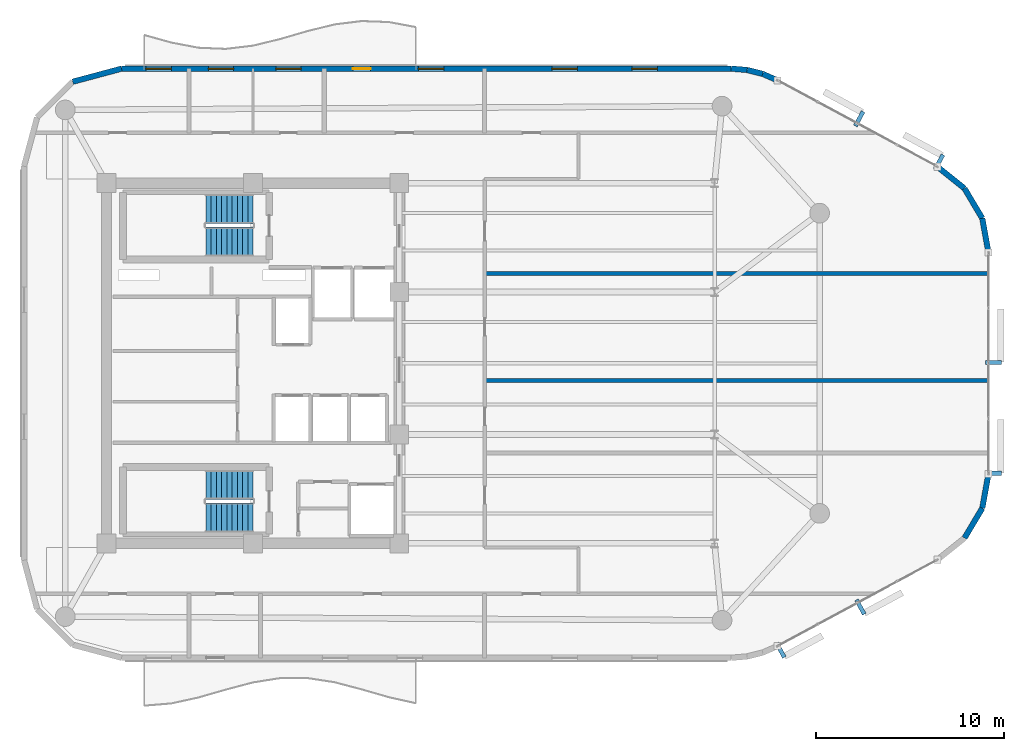
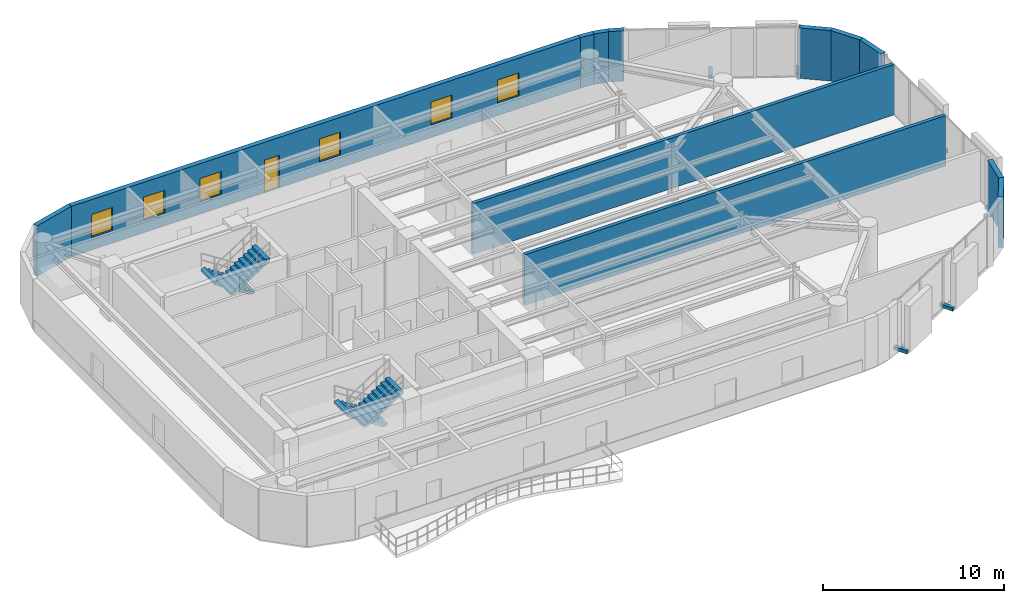
# One storey, part 11 of 13: 12 walls, 6 discrete accessories, 6 windows, 4 stair flights, 1 door, 7 openings, 2 elements without a shape of their own.
"""IFC4 building model written with IfcOpenShell, lengths in metres."""

from ifc_helpers import new_model, si_unit, direction, frame, frame_2d, origin, origin_2d, place, context, subcontext, project, spatial, polyline, rectangle, outline, extrude, material, layer, layer_set, type_object, element, fill, aggregate, save


model = new_model("IFC4")

# Units and contexts
model_context = context("Model", 3, precision=1e-05, world=origin(), true_north=direction((0.0, 1.0)))
body_context = subcontext(model_context, "Body", "Model", "MODEL_VIEW")
ifc_project = project(units=[si_unit("LENGTHUNIT", "METRE"), si_unit("AREAUNIT", "SQUARE_METRE"), si_unit("VOLUMEUNIT", "CUBIC_METRE"), si_unit("PLANEANGLEUNIT", "RADIAN"), si_unit("MASSUNIT", "GRAM", prefix="KILO")], contexts=[model_context])

# Site, building, storey
site_placement = place(None, origin())
site = spatial("IfcSite", under=ifc_project, at=site_placement, CompositionType="ELEMENT")
building_placement = place(site_placement, origin())
building = spatial("IfcBuilding", under=site, at=building_placement, Name="An Khanh Terracotta Commons", CompositionType="ELEMENT")
storey_placement = place(building_placement, frame((0.0, 0.0, 215.699951171875)))
storey = spatial("IfcBuildingStorey", under=building, at=storey_placement, Name="L56", CompositionType="ELEMENT", Elevation=215.699951171875)

# Walls
ifc_material_1 = material(Name="Precast concrete C40/50", Category="concrete")
ifc_layer_1 = layer(ifc_material_1, 0.300048828125, Name="Precast concrete C40/50")
ifc_layer_set_1 = layer_set([ifc_layer_1], Name="Precast concrete C40/50")
wall_type_1 = type_object("IfcWallType", Name="WALL-EXT-300", PredefinedType="SOLIDWALL", material=ifc_layer_set_1)
wall_1_placement = place(storey_placement, frame((67.320068359375, 14.68408203125, 0.0), z_axis=(0.0, 0.0, 1.0), x_axis=(0.512072018927, 0.858942516955, 0.0)))
element("IfcWall", 1, at=wall_1_placement, inside=storey, type_object=wall_type_1, Name="L56 Insulated Terracotta Exterior Wall 10", PredefinedType="SOLIDWALL", context=body_context, shape_type="SweptSolid", body=[
    extrude(rectangle(XDim=1.853271484375, YDim=0.300048828125, at=frame_2d((0.9267578125, 0.0))), origin(), (0.0, 0.0, 1.0), 3.400146484375),
])
for number, where, z_axis, x_axis, name in (
    (2, (68.26904296875, 16.27587890625, 0.0), (0.0, 0.0, 1.0), (0.178468469252, 0.983945631365, 0.0), "L56 Insulated Terracotta Exterior Wall 11"),
    (3, (68.60009765625, 29.89892578125, 0.0), (0.0, 0.0, 1.0), (-0.178468469252, 0.983945631365, 0.0), "L56 Insulated Terracotta Exterior Wall 13"),
):
    element("IfcWall", number, at=place(storey_placement, frame(where, z_axis=z_axis, x_axis=x_axis)), inside=storey, type_object=wall_type_1, Name=name, PredefinedType="SOLIDWALL", context=body_context, shape_type="SweptSolid", body=[
        extrude(rectangle(XDim=1.85498046875, YDim=0.300048828125, at=frame_2d((0.927490234375, 0.0))), origin(), (0.0, 0.0, 1.0), 3.400146484375),
    ])
wall_2_placement = place(storey_placement, frame((68.26904296875, 31.72412109375, 0.0), z_axis=(0.0, 0.0, 1.0), x_axis=(-0.512072018927, 0.858942516955, 0.0)))
element("IfcWall", 4, at=wall_2_placement, inside=storey, type_object=wall_type_1, Name="L56 Insulated Terracotta Exterior Wall 14", PredefinedType="SOLIDWALL", context=body_context, shape_type="SweptSolid", body=[
    extrude(rectangle(XDim=1.853271484375, YDim=0.300048828125, at=frame_2d((0.9267578125, 0.0))), origin(), (0.0, 0.0, 1.0), 3.400146484375),
])
wall_3_placement = place(storey_placement, frame((67.320068359375, 33.31591796875, 0.0), z_axis=(0.0, 0.0, 1.0), x_axis=(-0.780920189257, 0.624630817372, 0.0)))
element("IfcWall", 5, at=wall_3_placement, inside=storey, type_object=wall_type_1, Name="L56 Insulated Terracotta Exterior Wall 15", PredefinedType="SOLIDWALL", context=body_context, shape_type="SweptSolid", body=[
    extrude(rectangle(XDim=1.854248046875, YDim=0.300048828125, at=frame_2d((0.92724609375, 0.0))), origin(), (0.0, 0.0, 1.0), 3.400146484375),
])
wall_4_placement = place(storey_placement, frame((57.35693359375, 39.074951171875, 0.0), z_axis=(0.0, 0.0, 1.0), x_axis=(-0.916085473636, 0.400983048261, 0.0)))
element("IfcWall", 6, at=wall_4_placement, inside=storey, type_object=wall_type_1, Name="L56 Insulated Terracotta Exterior Wall 17", PredefinedType="SOLIDWALL", context=body_context, shape_type="SweptSolid", body=[
    extrude(rectangle(XDim=0.85791015625, YDim=0.300048828125, at=frame_2d((0.428955078125, 0.0))), origin(), (0.0, 0.0, 1.0), 3.400146484375),
])
wall_5_placement = place(storey_placement, frame((56.571044921875, 39.4189453125, 0.0), z_axis=(0.0, 0.0, 1.0), x_axis=(-0.969536346338, 0.244947490555, 0.0)))
element("IfcWall", 7, at=wall_5_placement, inside=storey, type_object=wall_type_1, Name="L56 Insulated Terracotta Exterior Wall 18", PredefinedType="SOLIDWALL", context=body_context, shape_type="SweptSolid", body=[
    extrude(rectangle(XDim=0.857177734375, YDim=0.300048828125, at=frame_2d((0.4287109375, 0.0))), origin(), (0.0, 0.0, 1.0), 3.400146484375),
])
wall_6_placement = place(storey_placement, frame((55.739990234375, 39.62890625, 0.0), z_axis=(0.0, 0.0, 1.0), x_axis=(-0.996565355958, 0.082809971041, 0.0)))
element("IfcWall", 8, at=wall_6_placement, inside=storey, type_object=wall_type_1, Name="L56 Insulated Terracotta Exterior Wall 19", PredefinedType="SOLIDWALL", context=body_context, shape_type="SweptSolid", body=[
    extrude(rectangle(XDim=0.85791015625, YDim=0.300048828125, at=frame_2d((0.428955078125, 0.0))), origin(), (0.0, 0.0, 1.0), 3.400146484375),
])

# Wall, openings, door, windows
wall_7_placement = place(storey_placement, frame((54.885009765625, 39.699951171875, 0.0), z_axis=(0.0, 0.0, 1.0), x_axis=(-1.0, 0.0, 0.0)))
wall_7 = element("IfcWall", 9, at=wall_7_placement, inside=storey, type_object=wall_type_1, Name="L56 Insulated Terracotta Exterior Wall 20", PredefinedType="SOLIDWALL", context=body_context, shape_type="SweptSolid", body=[
    extrude(rectangle(XDim=32.485107421875, YDim=0.300048828125, at=frame_2d((16.24267578125, 0.0))), origin(), (0.0, 0.0, 1.0), 3.400146484375),
])
opening_1_placement = place(wall_7_placement, frame((19.2099609375, 0.0, 0.0)))
opening_1 = element("IfcOpeningElement", 10, at=opening_1_placement, cuts=wall_7, Name="Opening D-BAL", PredefinedType="OPENING", context=body_context, shape_type="SweptSolid", body=[
    extrude(rectangle(XDim=0.949951171875, YDim=2.199951171875, at=frame_2d((0.47509765625, 1.10009765625))), frame((0.0, 0.159912109375, 0.0), z_axis=(0.0, -1.0, 0.0), x_axis=(1.0, 0.0, 0.0)), (0.0, 0.0, 1.0), 0.320068359375),
])
opening_2_placement = place(wall_7_placement, frame((3.93701171875, 0.0, 0.85009765625)))
opening_2 = element("IfcOpeningElement", 11, at=opening_2_placement, cuts=wall_7, Name="Opening W-04", PredefinedType="OPENING", context=body_context, shape_type="SweptSolid", body=[
    extrude(rectangle(XDim=1.35009765625, YDim=1.550048828125, at=frame_2d((0.675048828125, 0.77490234375))), frame((0.0, 0.159912109375, 0.0), z_axis=(0.0, -1.0, 0.0), x_axis=(1.0, 0.0, 0.0)), (0.0, 0.0, 1.0), 0.320068359375),
])
opening_3_placement = place(wall_7_placement, frame((8.197998046875, 0.0, 0.85009765625)))
opening_3 = element("IfcOpeningElement", 12, at=opening_3_placement, cuts=wall_7, Name="Opening W-04", PredefinedType="OPENING", context=body_context, shape_type="SweptSolid", body=[
    extrude(rectangle(XDim=1.35009765625, YDim=1.550048828125, at=frame_2d((0.675048828125, 0.77490234375))), frame((0.0, 0.159912109375, 0.0), z_axis=(0.0, -1.0, 0.0), x_axis=(1.0, 0.0, 0.0)), (0.0, 0.0, 1.0), 0.320068359375),
])
opening_4_placement = place(wall_7_placement, frame((15.31005859375, 0.0, 0.85009765625)))
opening_4 = element("IfcOpeningElement", 13, at=opening_4_placement, cuts=wall_7, Name="Opening W-04", PredefinedType="OPENING", context=body_context, shape_type="SweptSolid", body=[
    extrude(rectangle(XDim=1.35009765625, YDim=1.550048828125, at=frame_2d((0.675048828125, 0.77490234375))), frame((0.0, 0.159912109375, 0.0), z_axis=(0.0, -1.0, 0.0), x_axis=(1.0, 0.0, 0.0)), (0.0, 0.0, 1.0), 0.320068359375),
])
opening_5_placement = place(wall_7_placement, frame((22.909912109375, 0.0, 0.85009765625)))
opening_5 = element("IfcOpeningElement", 14, at=opening_5_placement, cuts=wall_7, Name="Opening W-04", PredefinedType="OPENING", context=body_context, shape_type="SweptSolid", body=[
    extrude(rectangle(XDim=1.35009765625, YDim=1.550048828125, at=frame_2d((0.675048828125, 0.77490234375))), frame((0.0, 0.159912109375, 0.0), z_axis=(0.0, -1.0, 0.0), x_axis=(1.0, 0.0, 0.0)), (0.0, 0.0, 1.0), 0.320068359375),
])
opening_6_placement = place(wall_7_placement, frame((26.510009765625, 0.0, 0.85009765625)))
opening_6 = element("IfcOpeningElement", 15, at=opening_6_placement, cuts=wall_7, Name="Opening W-04", PredefinedType="OPENING", context=body_context, shape_type="SweptSolid", body=[
    extrude(rectangle(XDim=1.35009765625, YDim=1.550048828125, at=frame_2d((0.675048828125, 0.77490234375))), frame((0.0, 0.159912109375, 0.0), z_axis=(0.0, -1.0, 0.0), x_axis=(1.0, 0.0, 0.0)), (0.0, 0.0, 1.0), 0.320068359375),
])
opening_7_placement = place(wall_7_placement, frame((29.8349609375, 0.0, 0.85009765625)))
opening_7 = element("IfcOpeningElement", 16, at=opening_7_placement, cuts=wall_7, Name="Opening W-04", PredefinedType="OPENING", context=body_context, shape_type="SweptSolid", body=[
    extrude(rectangle(XDim=1.35009765625, YDim=1.550048828125, at=frame_2d((0.675048828125, 0.77490234375))), frame((0.0, 0.159912109375, 0.0), z_axis=(0.0, -1.0, 0.0), x_axis=(1.0, 0.0, 0.0)), (0.0, 0.0, 1.0), 0.320068359375),
])
ifc_material_2 = material(Name="Thermally Broken Aluminium and Low-E Glass", Category="aluminium")
door_type = type_object("IfcDoorType", Name="DOOR-BALC-950", OperationType="NOTDEFINED", PredefinedType="DOOR", material=ifc_material_2)
door_placement = place(opening_1_placement, origin())
door = element("IfcDoor", 17, at=door_placement, inside=storey, type_object=door_type, Name="L56 N Wave Balcony Glazed Door", OperationType="SINGLE_SWING_RIGHT", OverallHeight=2.199951171875, OverallWidth=0.949951171875, PredefinedType="DOOR", context=body_context, shape_type="SweptSolid", body=[
    extrude(rectangle(XDim=0.949951171875, YDim=2.199951171875, at=frame_2d((0.47509765625, 1.10009765625))), frame((0.0, 0.02490234375, 0.0), z_axis=(0.0, -1.0, 0.0), x_axis=(1.0, 0.0, 0.0)), (0.0, 0.0, 1.0), 0.050048828125),
])
fill(opening_1, door)
window_type = type_object("IfcWindowType", Name="WIN-Z4-1350x1550", PartitioningType="SINGLE_PANEL", PredefinedType="WINDOW", material=ifc_material_2)
window_1_placement = place(opening_2_placement, origin())
window_1 = element("IfcWindow", 18, at=window_1_placement, inside=storey, type_object=window_type, Name="L56 Operable Casement Window 20.1", OverallHeight=1.550048828125, OverallWidth=1.35009765625, PartitioningType="SINGLE_PANEL", PredefinedType="WINDOW", context=body_context, shape_type="SweptSolid", body=[
    extrude(rectangle(XDim=1.35009765625, YDim=1.550048828125, at=frame_2d((0.675048828125, 0.77490234375))), frame((0.0, 0.030029296875, 0.0), z_axis=(0.0, -1.0, 0.0), x_axis=(1.0, 0.0, 0.0)), (0.0, 0.0, 1.0), 0.06005859375),
])
fill(opening_2, window_1)
window_2_placement = place(opening_3_placement, origin())
window_2 = element("IfcWindow", 19, at=window_2_placement, inside=storey, type_object=window_type, Name="L56 Operable Casement Window 20.2", OverallHeight=1.550048828125, OverallWidth=1.35009765625, PartitioningType="SINGLE_PANEL", PredefinedType="WINDOW", context=body_context, shape_type="SweptSolid", body=[
    extrude(rectangle(XDim=1.35009765625, YDim=1.550048828125, at=frame_2d((0.675048828125, 0.77490234375))), frame((0.0, 0.030029296875, 0.0), z_axis=(0.0, -1.0, 0.0), x_axis=(1.0, 0.0, 0.0)), (0.0, 0.0, 1.0), 0.06005859375),
])
fill(opening_3, window_2)
window_3_placement = place(opening_4_placement, origin())
window_3 = element("IfcWindow", 20, at=window_3_placement, inside=storey, type_object=window_type, Name="L56 Operable Casement Window 20.3", OverallHeight=1.550048828125, OverallWidth=1.35009765625, PartitioningType="SINGLE_PANEL", PredefinedType="WINDOW", context=body_context, shape_type="SweptSolid", body=[
    extrude(rectangle(XDim=1.35009765625, YDim=1.550048828125, at=frame_2d((0.675048828125, 0.77490234375))), frame((0.0, 0.030029296875, 0.0), z_axis=(0.0, -1.0, 0.0), x_axis=(1.0, 0.0, 0.0)), (0.0, 0.0, 1.0), 0.06005859375),
])
fill(opening_4, window_3)
window_4_placement = place(opening_5_placement, origin())
window_4 = element("IfcWindow", 21, at=window_4_placement, inside=storey, type_object=window_type, Name="L56 Operable Casement Window 20.4", OverallHeight=1.550048828125, OverallWidth=1.35009765625, PartitioningType="SINGLE_PANEL", PredefinedType="WINDOW", context=body_context, shape_type="SweptSolid", body=[
    extrude(rectangle(XDim=1.35009765625, YDim=1.550048828125, at=frame_2d((0.675048828125, 0.77490234375))), frame((0.0, 0.030029296875, 0.0), z_axis=(0.0, -1.0, 0.0), x_axis=(1.0, 0.0, 0.0)), (0.0, 0.0, 1.0), 0.06005859375),
])
fill(opening_5, window_4)
window_5_placement = place(opening_6_placement, origin())
window_5 = element("IfcWindow", 22, at=window_5_placement, inside=storey, type_object=window_type, Name="L56 Operable Casement Window 20.5", OverallHeight=1.550048828125, OverallWidth=1.35009765625, PartitioningType="SINGLE_PANEL", PredefinedType="WINDOW", context=body_context, shape_type="SweptSolid", body=[
    extrude(rectangle(XDim=1.35009765625, YDim=1.550048828125, at=frame_2d((0.675048828125, 0.77490234375))), frame((0.0, 0.030029296875, 0.0), z_axis=(0.0, -1.0, 0.0), x_axis=(1.0, 0.0, 0.0)), (0.0, 0.0, 1.0), 0.06005859375),
])
fill(opening_6, window_5)
window_6_placement = place(opening_7_placement, origin())
window_6 = element("IfcWindow", 23, at=window_6_placement, inside=storey, type_object=window_type, Name="L56 Operable Casement Window 20.6", OverallHeight=1.550048828125, OverallWidth=1.35009765625, PartitioningType="SINGLE_PANEL", PredefinedType="WINDOW", context=body_context, shape_type="SweptSolid", body=[
    extrude(rectangle(XDim=1.35009765625, YDim=1.550048828125, at=frame_2d((0.675048828125, 0.77490234375))), frame((0.0, 0.030029296875, 0.0), z_axis=(0.0, -1.0, 0.0), x_axis=(1.0, 0.0, 0.0)), (0.0, 0.0, 1.0), 0.06005859375),
])
fill(opening_7, window_6)

# Walls
wall_8_placement = place(storey_placement, frame((22.39990234375, 39.699951171875, 0.0), z_axis=(0.0, 0.0, 1.0), x_axis=(-0.965889330541, -0.258955210695, 0.0)))
element("IfcWall", 24, at=wall_8_placement, inside=storey, type_object=wall_type_1, Name="L56 Insulated Terracotta Exterior Wall 21", PredefinedType="SOLIDWALL", context=body_context, shape_type="SweptSolid", body=[
    extrude(rectangle(XDim=2.691650390625, YDim=0.300048828125, at=frame_2d((1.345703125, 0.0))), origin(), (0.0, 0.0, 1.0), 3.400146484375),
])
ifc_material_3 = material(Name="Acoustic Double-Stud Gypsum and Mineral Wool")
ifc_layer_2 = layer(ifc_material_3, 0.219970703125, Name="Acoustic Double-Stud Gypsum and Mineral Wool")
ifc_layer_set_2 = layer_set([ifc_layer_2], Name="Acoustic Double-Stud Gypsum and Mineral Wool")
wall_type_2 = type_object("IfcWallType", Name="WALL-PARTY-220", PredefinedType="PARTITIONING", material=ifc_layer_set_2)
for number, where, z_axis, x_axis, name in (
    (25, (41.75, 23.090087890625, 0.0), (0.0, 0.0, 1.0), (1.0, 0.0, 0.0), "L56 Interior Partition IW-L56-E004"),
    (26, (41.75, 28.77587890625, 0.0), (0.0, 0.0, 1.0), (1.0, 0.0, 0.0), "L56 Interior Partition IW-L56-E005"),
):
    element("IfcWall", number, at=place(storey_placement, frame(where, z_axis=z_axis, x_axis=x_axis)), inside=storey, type_object=wall_type_2, Name=name, PredefinedType="PARTITIONING", context=body_context, shape_type="SweptSolid", body=[
        extrude(rectangle(XDim=26.85009765625, YDim=0.219970703125, at=frame_2d((13.425048828125, 0.0))), origin(), (0.0, 0.0, 1.0), 3.400146484375),
    ])

# Stair, stair flights
stair_type = type_object("IfcStairType", Name="STAIR-CORE-1550", PredefinedType="HALF_TURN_STAIR", material=ifc_material_1)
stair_1_placement = place(storey_placement, origin())
stair_1 = element("IfcStair", 27, at=stair_1_placement, inside=storey, type_object=stair_type, Name="L56 Core Smokeproof Exit Stair ST-01", PredefinedType="HALF_TURN_STAIR")
stair_flight_type = type_object("IfcStairFlightType", Name="FLIGHT-CORE-1550", PredefinedType="STRAIGHT", material=ifc_material_1)
stair_flight_1_placement = place(storey_placement, frame((29.409912109375, 32.22509765625, 0.0), z_axis=(0.0, 0.0, 1.0), x_axis=(-1.0, 0.0, 0.0)))
stair_flight_1 = element("IfcStairFlight", 28, at=stair_flight_1_placement, type_object=stair_flight_type, Name="ST-01 flight 1", NumberOfRisers=10, NumberOfTreads=9, PredefinedType="STRAIGHT", RiserHeight=0.18, TreadLength=0.28, context=body_context, shape_type="SweptSolid", body=[
    extrude(outline(polyline([(0.0, 0.0), (0.0, 0.179931640625), (0.280029296875, 0.179931640625), (0.280029296875, 0.360107421875), (0.56005859375, 0.360107421875), (0.56005859375, 0.5400390625), (0.840087890625, 0.5400390625), (0.840087890625, 0.719970703125), (1.1201171875, 0.719970703125), (1.1201171875, 0.89990234375), (1.39990234375, 0.89990234375), (1.39990234375, 1.080078125), (1.679931640625, 1.080078125), (1.679931640625, 1.260009765625), (1.9599609375, 1.260009765625), (1.9599609375, 1.43994140625), (2.239990234375, 1.43994140625), (2.239990234375, 1.6201171875), (2.52001953125, 1.6201171875), (2.52001953125, 1.800048828125), (2.52001953125, 1.44189453125), (0.277099609375, 0.0), (0.0, 0.0)])), frame((0.0, 0.77490234375, 0.0), z_axis=(0.0, -1.0, 0.0), x_axis=(1.0, 0.0, 0.0)), (0.0, 0.0, 1.0), 1.550048828125),
])
stair_flight_2_placement = place(storey_placement, frame((26.889892578125, 30.47509765625, 1.800048828125), z_axis=(0.0, 0.0, 1.0), x_axis=(1.0, 0.0, 0.0)))
stair_flight_2 = element("IfcStairFlight", 29, at=stair_flight_2_placement, type_object=stair_flight_type, Name="ST-01 flight 2", NumberOfRisers=10, NumberOfTreads=9, PredefinedType="STRAIGHT", RiserHeight=0.18, TreadLength=0.28, context=body_context, shape_type="SweptSolid", body=[
    extrude(outline(polyline([(0.0, 0.0), (0.0, 0.179931640625), (0.280029296875, 0.179931640625), (0.280029296875, 0.360107421875), (0.56005859375, 0.360107421875), (0.56005859375, 0.5400390625), (0.840087890625, 0.5400390625), (0.840087890625, 0.719970703125), (1.1201171875, 0.719970703125), (1.1201171875, 0.89990234375), (1.39990234375, 0.89990234375), (1.39990234375, 1.080078125), (1.679931640625, 1.080078125), (1.679931640625, 1.260009765625), (1.9599609375, 1.260009765625), (1.9599609375, 1.43994140625), (2.239990234375, 1.43994140625), (2.239990234375, 1.6201171875), (2.52001953125, 1.6201171875), (2.52001953125, 1.800048828125), (2.52001953125, 1.44189453125), (0.277099609375, 0.0), (0.0, 0.0)])), frame((0.0, 0.77490234375, 0.0), z_axis=(0.0, -1.0, 0.0), x_axis=(1.0, 0.0, 0.0)), (0.0, 0.0, 1.0), 1.550048828125),
])
aggregate(stair_1, [stair_flight_1, stair_flight_2])

stair_2_placement = place(storey_placement, origin())
stair_2 = element("IfcStair", 30, at=stair_2_placement, inside=storey, type_object=stair_type, Name="L56 Core Smokeproof Exit Stair ST-02", PredefinedType="HALF_TURN_STAIR")
stair_flight_3_placement = place(storey_placement, frame((29.409912109375, 17.52490234375, 0.0), z_axis=(0.0, 0.0, 1.0), x_axis=(-1.0, 0.0, 0.0)))
stair_flight_3 = element("IfcStairFlight", 31, at=stair_flight_3_placement, type_object=stair_flight_type, Name="ST-02 flight 1", NumberOfRisers=10, NumberOfTreads=9, PredefinedType="STRAIGHT", RiserHeight=0.18, TreadLength=0.28, context=body_context, shape_type="SweptSolid", body=[
    extrude(outline(polyline([(0.0, 0.0), (0.0, 0.179931640625), (0.280029296875, 0.179931640625), (0.280029296875, 0.360107421875), (0.56005859375, 0.360107421875), (0.56005859375, 0.5400390625), (0.840087890625, 0.5400390625), (0.840087890625, 0.719970703125), (1.1201171875, 0.719970703125), (1.1201171875, 0.89990234375), (1.39990234375, 0.89990234375), (1.39990234375, 1.080078125), (1.679931640625, 1.080078125), (1.679931640625, 1.260009765625), (1.9599609375, 1.260009765625), (1.9599609375, 1.43994140625), (2.239990234375, 1.43994140625), (2.239990234375, 1.6201171875), (2.52001953125, 1.6201171875), (2.52001953125, 1.800048828125), (2.52001953125, 1.44189453125), (0.277099609375, 0.0), (0.0, 0.0)])), frame((0.0, 0.77490234375, 0.0), z_axis=(0.0, -1.0, 0.0), x_axis=(1.0, 0.0, 0.0)), (0.0, 0.0, 1.0), 1.550048828125),
])
stair_flight_4_placement = place(storey_placement, frame((26.889892578125, 15.77490234375, 1.800048828125), z_axis=(0.0, 0.0, 1.0), x_axis=(1.0, 0.0, 0.0)))
stair_flight_4 = element("IfcStairFlight", 32, at=stair_flight_4_placement, type_object=stair_flight_type, Name="ST-02 flight 2", NumberOfRisers=10, NumberOfTreads=9, PredefinedType="STRAIGHT", RiserHeight=0.18, TreadLength=0.28, context=body_context, shape_type="SweptSolid", body=[
    extrude(outline(polyline([(0.0, 0.0), (0.0, 0.179931640625), (0.280029296875, 0.179931640625), (0.280029296875, 0.360107421875), (0.56005859375, 0.360107421875), (0.56005859375, 0.5400390625), (0.840087890625, 0.5400390625), (0.840087890625, 0.719970703125), (1.1201171875, 0.719970703125), (1.1201171875, 0.89990234375), (1.39990234375, 0.89990234375), (1.39990234375, 1.080078125), (1.679931640625, 1.080078125), (1.679931640625, 1.260009765625), (1.9599609375, 1.260009765625), (1.9599609375, 1.43994140625), (2.239990234375, 1.43994140625), (2.239990234375, 1.6201171875), (2.52001953125, 1.6201171875), (2.52001953125, 1.800048828125), (2.52001953125, 1.44189453125), (0.277099609375, 0.0), (0.0, 0.0)])), frame((0.0, 0.77490234375, 0.0), z_axis=(0.0, -1.0, 0.0), x_axis=(1.0, 0.0, 0.0)), (0.0, 0.0, 1.0), 1.550048828125),
])
aggregate(stair_2, [stair_flight_3, stair_flight_4])

# Discrete accessories
ifc_material_4 = material(Name="Stainless Steel Grade 316L", Category="steel")
discrete_accessory_type = type_object("IfcDiscreteAccessoryType", Name="Stainless Outrigger Facade Bracket", PredefinedType="BRACKET", material=ifc_material_4)
for number, where, z_axis, x_axis, name in (
    (33, (57.513916015625, 8.7080078125, 0.06982421875), (0.0, 0.0, 1.0), (0.879780095306, 0.47538088298, 0.0), "L56 Terracotta Screen Outrigger Bracket 1"),
    (34, (61.77099609375, 11.009033203125, 0.06982421875), (0.0, 0.0, 1.0), (0.879780095306, 0.47538088298, 0.0), "L56 Terracotta Screen Outrigger Bracket 3"),
    (35, (68.864990234375, 18.135986328125, 0.06982421875), (0.0, 0.0, 1.0), (0.0, 1.0, 0.0), "L56 Terracotta Screen Outrigger Bracket 1"),
    (36, (68.864990234375, 24.034912109375, 0.06982421875), (0.0, 0.0, 1.0), (0.0, 1.0, 0.0), "L56 Terracotta Screen Outrigger Bracket 3"),
    (37, (65.967041015625, 34.72412109375, 0.06982421875), (0.0, 0.0, 1.0), (-0.879780095306, 0.47538088298, 0.0), "L56 Terracotta Screen Outrigger Bracket 1"),
    (38, (61.7099609375, 37.02392578125, 0.06982421875), (0.0, 0.0, 1.0), (-0.879780095306, 0.47538088298, 0.0), "L56 Terracotta Screen Outrigger Bracket 3"),
):
    element("IfcDiscreteAccessory", number, at=place(storey_placement, frame(where, z_axis=z_axis, x_axis=x_axis)), inside=storey, type_object=discrete_accessory_type, Name=name, PredefinedType="BRACKET", context=body_context, shape_type="SweptSolid", body=[
        extrude(rectangle(XDim=0.219970703125, YDim=0.8701171875, at=origin_2d()), origin(), (0.0, 0.0, 1.0), 0.219970703125),
    ])

save(model, "model.ifc")
